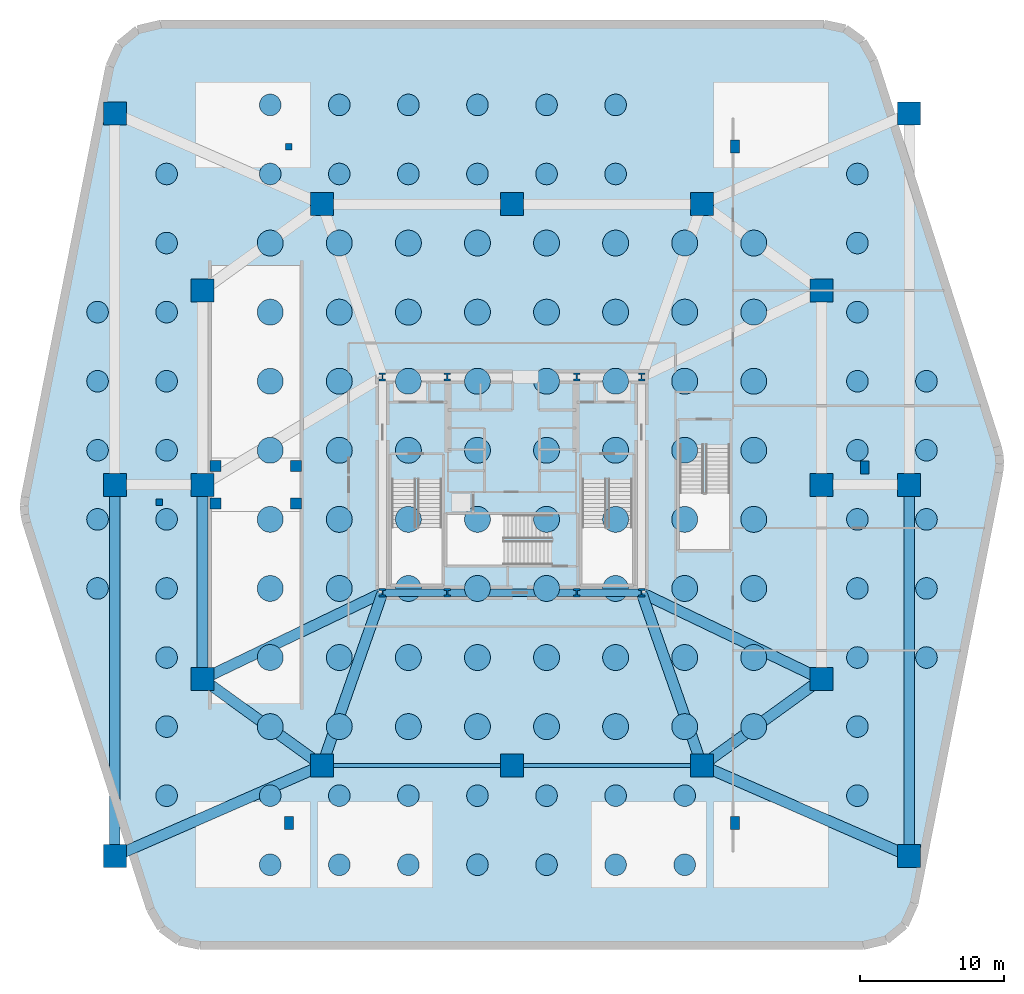
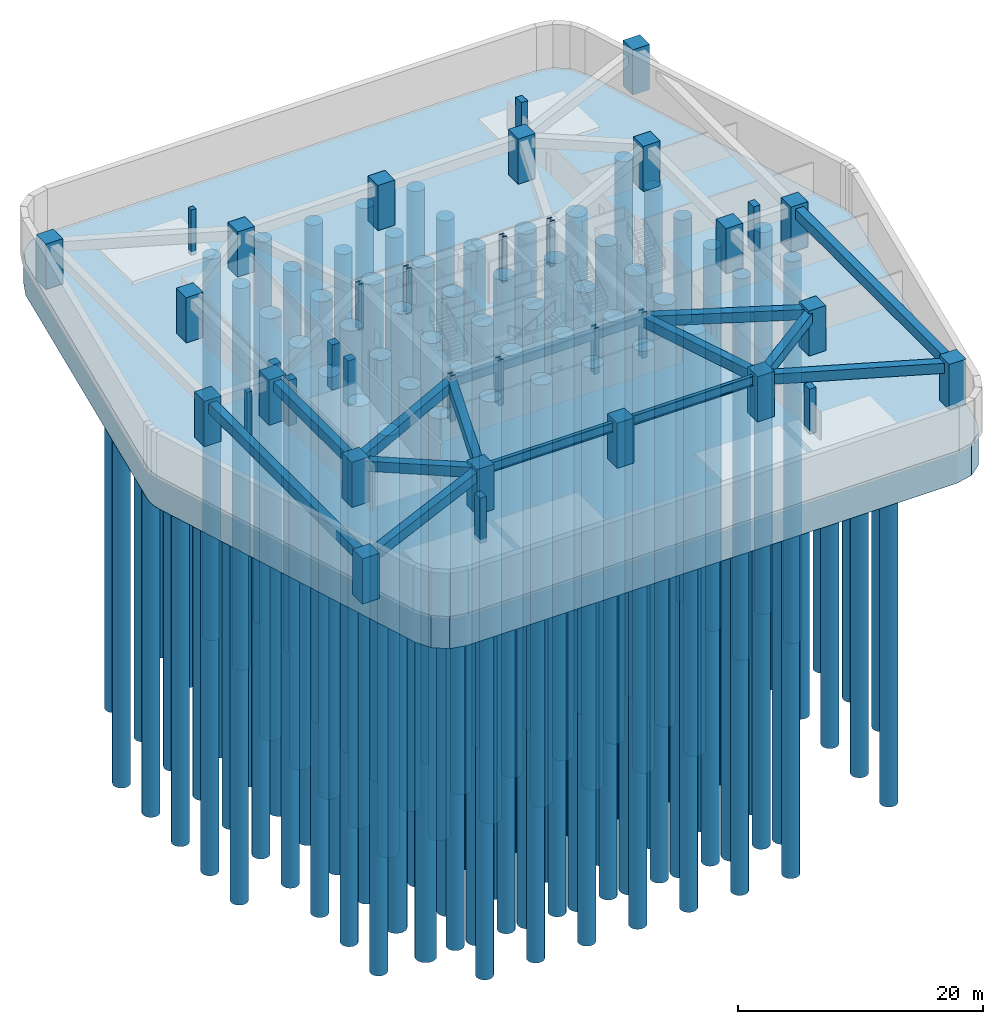
# One storey, part 1 of 8: 120 piles, 36 columns, 16 beams, 1 footing.
"""IFC4 building model written with IfcOpenShell, lengths in metres."""

from ifc_helpers import new_model, si_unit, direction, frame, origin, origin_2d, place, context, subcontext, project, spatial, polyline, rectangle, circle, i_section, outline, extrude, material, layer, layer_set, material_profile, profile_set, type_object, element, save


model = new_model("IFC4")

# Units and contexts
model_context = context("Model", 3, precision=1e-05, world=origin(), true_north=direction((0.0, 1.0)))
body_context = subcontext(model_context, "Body", "Model", "MODEL_VIEW")
ifc_project = project(units=[si_unit("LENGTHUNIT", "METRE"), si_unit("AREAUNIT", "SQUARE_METRE"), si_unit("VOLUMEUNIT", "CUBIC_METRE"), si_unit("PLANEANGLEUNIT", "RADIAN"), si_unit("MASSUNIT", "GRAM", prefix="KILO")], contexts=[model_context])

# Site, building, storey
site_placement = place(None, origin())
site = spatial("IfcSite", under=ifc_project, at=site_placement, CompositionType="ELEMENT")
building_placement = place(site_placement, origin())
building = spatial("IfcBuilding", under=site, at=building_placement, Name="Kilnhurst Terrace Hotel", CompositionType="ELEMENT")
storey_placement = place(building_placement, frame((0.0, 0.0, -9.0)))
storey = spatial("IfcBuildingStorey", under=building, at=storey_placement, Name="B2", CompositionType="ELEMENT", Elevation=-9.0)

# Footing
ifc_material_1 = material(Name="Concrete C50/60", Category="concrete")
ifc_layer = layer(ifc_material_1, 3.199951171875, Name="Concrete C50/60")
ifc_layer_set = layer_set([ifc_layer], Name="Concrete C50/60")
footing_type = type_object("IfcFootingType", Name="FTG-MAT-3200", PredefinedType="PILE_CAP", material=ifc_layer_set)
footing_placement = place(storey_placement, frame((0.0, 0.0, -3.199951171875)))
element("IfcFooting", 1, at=footing_placement, inside=storey, type_object=footing_type, Name="Tower and Podium Piled Mat Foundation MAT-1", PredefinedType="PILE_CAP", context=body_context, shape_type="SweptSolid", body=[
    extrude(outline(polyline([(-25.111572265625, -29.49853515625), (-24.364990234375, -30.801513671875), (-23.152099609375, -31.686767578125), (-21.683349609375, -32.0), (24.408203125, -32.0), (26.003173828125, -31.62744140625), (27.267822265625, -30.5869140625), (27.940673828125, -29.09375), (33.8212890625, 0.850341796875), (33.8876953125, 1.450927734375), (33.8525390625, 2.053955078125), (33.717041015625, 2.642578125), (25.111572265625, 29.49853515625), (24.364990234375, 30.801513671875), (23.152099609375, 31.686767578125), (21.683349609375, 32.0), (-24.408203125, 32.0), (-26.003173828125, 31.62744140625), (-27.267822265625, 30.5869140625), (-27.940673828125, 29.09375), (-33.8212890625, -0.850341796875), (-33.8876953125, -1.450927734375), (-33.8525390625, -2.053955078125), (-33.717041015625, -2.642578125), (-25.111572265625, -29.49853515625)])), origin(), (0.0, 0.0, 1.0), 3.199951171875),
])

# Piles
ifc_material_profile_1 = material_profile(ifc_material_1, circle(Radius=0.75, at=origin_2d()), Name="PILE1500")
ifc_profile_set_1 = profile_set([ifc_material_profile_1], Name="Concrete C50/60")
pile_type_1 = type_object("IfcPileType", Name="PILE-BORED-1500", PredefinedType="BORED", material=ifc_profile_set_1)
for number, where, z_axis, x_axis, name in (
    (2, (-28.800048828125, -7.199951171875, -3.050048828125), (0.0, 0.0, -1.0), (1.0, 0.0, 0.0), "Drilled Shaft PL-1500 001"),
    (3, (-28.800048828125, -2.39990234375, -3.050048828125), (0.0, 0.0, -1.0), (1.0, 0.0, 0.0), "Drilled Shaft PL-1500 002"),
    (4, (-28.800048828125, 2.39990234375, -3.050048828125), (0.0, 0.0, -1.0), (1.0, 0.0, 0.0), "Drilled Shaft PL-1500 003"),
    (5, (-28.800048828125, 7.199951171875, -3.050048828125), (0.0, 0.0, -1.0), (1.0, 0.0, 0.0), "Drilled Shaft PL-1500 004"),
    (6, (-28.800048828125, 12.0, -3.050048828125), (0.0, 0.0, -1.0), (1.0, 0.0, 0.0), "Drilled Shaft PL-1500 005"),
    (7, (-24.0, -21.60009765625, -3.050048828125), (0.0, 0.0, -1.0), (1.0, 0.0, 0.0), "Drilled Shaft PL-1500 006"),
    (8, (-24.0, -16.800048828125, -3.050048828125), (0.0, 0.0, -1.0), (1.0, 0.0, 0.0), "Drilled Shaft PL-1500 007"),
    (9, (-24.0, -12.0, -3.050048828125), (0.0, 0.0, -1.0), (1.0, 0.0, 0.0), "Drilled Shaft PL-1500 008"),
    (10, (-24.0, -7.199951171875, -3.050048828125), (0.0, 0.0, -1.0), (1.0, 0.0, 0.0), "Drilled Shaft PL-1500 009"),
    (11, (-24.0, -2.39990234375, -3.050048828125), (0.0, 0.0, -1.0), (1.0, 0.0, 0.0), "Drilled Shaft PL-1500 010"),
    (12, (-24.0, 2.39990234375, -3.050048828125), (0.0, 0.0, -1.0), (1.0, 0.0, 0.0), "Drilled Shaft PL-1500 011"),
    (13, (-24.0, 7.199951171875, -3.050048828125), (0.0, 0.0, -1.0), (1.0, 0.0, 0.0), "Drilled Shaft PL-1500 012"),
    (14, (-24.0, 12.0, -3.050048828125), (0.0, 0.0, -1.0), (1.0, 0.0, 0.0), "Drilled Shaft PL-1500 013"),
    (15, (-24.0, 16.800048828125, -3.050048828125), (0.0, 0.0, -1.0), (1.0, 0.0, 0.0), "Drilled Shaft PL-1500 014"),
    (16, (-24.0, 21.60009765625, -3.050048828125), (0.0, 0.0, -1.0), (1.0, 0.0, 0.0), "Drilled Shaft PL-1500 015"),
    (17, (24.0, -21.60009765625, -3.050048828125), (0.0, 0.0, -1.0), (1.0, 0.0, 0.0), "Drilled Shaft PL-1500 016"),
    (18, (24.0, -16.800048828125, -3.050048828125), (0.0, 0.0, -1.0), (1.0, 0.0, 0.0), "Drilled Shaft PL-1500 017"),
    (19, (24.0, -12.0, -3.050048828125), (0.0, 0.0, -1.0), (1.0, 0.0, 0.0), "Drilled Shaft PL-1500 018"),
    (20, (24.0, -7.199951171875, -3.050048828125), (0.0, 0.0, -1.0), (1.0, 0.0, 0.0), "Drilled Shaft PL-1500 019"),
    (21, (24.0, -2.39990234375, -3.050048828125), (0.0, 0.0, -1.0), (1.0, 0.0, 0.0), "Drilled Shaft PL-1500 020"),
    (22, (24.0, 2.39990234375, -3.050048828125), (0.0, 0.0, -1.0), (1.0, 0.0, 0.0), "Drilled Shaft PL-1500 021"),
    (23, (24.0, 7.199951171875, -3.050048828125), (0.0, 0.0, -1.0), (1.0, 0.0, 0.0), "Drilled Shaft PL-1500 022"),
    (24, (24.0, 12.0, -3.050048828125), (0.0, 0.0, -1.0), (1.0, 0.0, 0.0), "Drilled Shaft PL-1500 023"),
    (25, (24.0, 16.800048828125, -3.050048828125), (0.0, 0.0, -1.0), (1.0, 0.0, 0.0), "Drilled Shaft PL-1500 024"),
    (26, (24.0, 21.60009765625, -3.050048828125), (0.0, 0.0, -1.0), (1.0, 0.0, 0.0), "Drilled Shaft PL-1500 025"),
    (27, (28.800048828125, -12.0, -3.050048828125), (0.0, 0.0, -1.0), (1.0, 0.0, 0.0), "Drilled Shaft PL-1500 026"),
    (28, (28.800048828125, -7.199951171875, -3.050048828125), (0.0, 0.0, -1.0), (1.0, 0.0, 0.0), "Drilled Shaft PL-1500 027"),
    (29, (28.800048828125, -2.39990234375, -3.050048828125), (0.0, 0.0, -1.0), (1.0, 0.0, 0.0), "Drilled Shaft PL-1500 028"),
    (30, (28.800048828125, 2.39990234375, -3.050048828125), (0.0, 0.0, -1.0), (1.0, 0.0, 0.0), "Drilled Shaft PL-1500 029"),
    (31, (28.800048828125, 7.199951171875, -3.050048828125), (0.0, 0.0, -1.0), (1.0, 0.0, 0.0), "Drilled Shaft PL-1500 030"),
    (32, (-16.800048828125, -26.39990234375, -3.050048828125), (0.0, 0.0, -1.0), (1.0, 0.0, 0.0), "Drilled Shaft PL-1500 031"),
    (33, (-16.800048828125, -21.60009765625, -3.050048828125), (0.0, 0.0, -1.0), (1.0, 0.0, 0.0), "Drilled Shaft PL-1500 032"),
    (34, (-16.800048828125, 21.60009765625, -3.050048828125), (0.0, 0.0, -1.0), (1.0, 0.0, 0.0), "Drilled Shaft PL-1500 033"),
    (35, (-16.800048828125, 26.39990234375, -3.050048828125), (0.0, 0.0, -1.0), (1.0, 0.0, 0.0), "Drilled Shaft PL-1500 034"),
    (36, (-12.0, -26.39990234375, -3.050048828125), (0.0, 0.0, -1.0), (1.0, 0.0, 0.0), "Drilled Shaft PL-1500 035"),
    (37, (-12.0, -21.60009765625, -3.050048828125), (0.0, 0.0, -1.0), (1.0, 0.0, 0.0), "Drilled Shaft PL-1500 036"),
    (38, (-12.0, 21.60009765625, -3.050048828125), (0.0, 0.0, -1.0), (1.0, 0.0, 0.0), "Drilled Shaft PL-1500 037"),
    (39, (-12.0, 26.39990234375, -3.050048828125), (0.0, 0.0, -1.0), (1.0, 0.0, 0.0), "Drilled Shaft PL-1500 038"),
    (40, (-7.199951171875, -26.39990234375, -3.050048828125), (0.0, 0.0, -1.0), (1.0, 0.0, 0.0), "Drilled Shaft PL-1500 039"),
    (41, (-7.199951171875, -21.60009765625, -3.050048828125), (0.0, 0.0, -1.0), (1.0, 0.0, 0.0), "Drilled Shaft PL-1500 040"),
    (42, (-7.199951171875, 21.60009765625, -3.050048828125), (0.0, 0.0, -1.0), (1.0, 0.0, 0.0), "Drilled Shaft PL-1500 041"),
    (43, (-7.199951171875, 26.39990234375, -3.050048828125), (0.0, 0.0, -1.0), (1.0, 0.0, 0.0), "Drilled Shaft PL-1500 042"),
    (44, (-2.39990234375, -26.39990234375, -3.050048828125), (0.0, 0.0, -1.0), (1.0, 0.0, 0.0), "Drilled Shaft PL-1500 043"),
    (45, (-2.39990234375, -21.60009765625, -3.050048828125), (0.0, 0.0, -1.0), (1.0, 0.0, 0.0), "Drilled Shaft PL-1500 044"),
    (46, (-2.39990234375, 21.60009765625, -3.050048828125), (0.0, 0.0, -1.0), (1.0, 0.0, 0.0), "Drilled Shaft PL-1500 045"),
    (47, (-2.39990234375, 26.39990234375, -3.050048828125), (0.0, 0.0, -1.0), (1.0, 0.0, 0.0), "Drilled Shaft PL-1500 046"),
    (48, (2.39990234375, -26.39990234375, -3.050048828125), (0.0, 0.0, -1.0), (1.0, 0.0, 0.0), "Drilled Shaft PL-1500 047"),
    (49, (2.39990234375, -21.60009765625, -3.050048828125), (0.0, 0.0, -1.0), (1.0, 0.0, 0.0), "Drilled Shaft PL-1500 048"),
    (50, (2.39990234375, 21.60009765625, -3.050048828125), (0.0, 0.0, -1.0), (1.0, 0.0, 0.0), "Drilled Shaft PL-1500 049"),
    (51, (2.39990234375, 26.39990234375, -3.050048828125), (0.0, 0.0, -1.0), (1.0, 0.0, 0.0), "Drilled Shaft PL-1500 050"),
    (52, (7.199951171875, -26.39990234375, -3.050048828125), (0.0, 0.0, -1.0), (1.0, 0.0, 0.0), "Drilled Shaft PL-1500 051"),
    (53, (7.199951171875, -21.60009765625, -3.050048828125), (0.0, 0.0, -1.0), (1.0, 0.0, 0.0), "Drilled Shaft PL-1500 052"),
    (54, (7.199951171875, 21.60009765625, -3.050048828125), (0.0, 0.0, -1.0), (1.0, 0.0, 0.0), "Drilled Shaft PL-1500 053"),
    (55, (7.199951171875, 26.39990234375, -3.050048828125), (0.0, 0.0, -1.0), (1.0, 0.0, 0.0), "Drilled Shaft PL-1500 054"),
    (56, (12.0, -26.39990234375, -3.050048828125), (0.0, 0.0, -1.0), (1.0, 0.0, 0.0), "Drilled Shaft PL-1500 055"),
    (57, (12.0, -21.60009765625, -3.050048828125), (0.0, 0.0, -1.0), (1.0, 0.0, 0.0), "Drilled Shaft PL-1500 056"),
):
    element("IfcPile", number, at=place(storey_placement, frame(where, z_axis=z_axis, x_axis=x_axis)), inside=storey, type_object=pile_type_1, Name=name, PredefinedType="BORED", context=body_context, shape_type="SweptSolid", body=[
        extrude(circle(Radius=0.75, at=origin_2d()), origin(), (0.0, 0.0, 1.0), 38.0),
    ])
ifc_material_profile_2 = material_profile(ifc_material_1, circle(Radius=0.89990234375, at=origin_2d()), Name="PILE1800")
ifc_profile_set_2 = profile_set([ifc_material_profile_2], Name="Concrete C50/60")
pile_type_2 = type_object("IfcPileType", Name="PILE-BORED-1800", PredefinedType="BORED", material=ifc_profile_set_2)
for number, where, z_axis, x_axis, name in (
    (58, (-16.800048828125, -16.800048828125, -3.050048828125), (0.0, 0.0, -1.0), (1.0, 0.0, 0.0), "Drilled Shaft PL-1800 001"),
    (59, (-16.800048828125, -12.0, -3.050048828125), (0.0, 0.0, -1.0), (1.0, 0.0, 0.0), "Drilled Shaft PL-1800 002"),
    (60, (-16.800048828125, -7.199951171875, -3.050048828125), (0.0, 0.0, -1.0), (1.0, 0.0, 0.0), "Drilled Shaft PL-1800 003"),
    (61, (-16.800048828125, -2.39990234375, -3.050048828125), (0.0, 0.0, -1.0), (1.0, 0.0, 0.0), "Drilled Shaft PL-1800 004"),
    (62, (-16.800048828125, 2.39990234375, -3.050048828125), (0.0, 0.0, -1.0), (1.0, 0.0, 0.0), "Drilled Shaft PL-1800 005"),
    (63, (-16.800048828125, 7.199951171875, -3.050048828125), (0.0, 0.0, -1.0), (1.0, 0.0, 0.0), "Drilled Shaft PL-1800 006"),
    (64, (-16.800048828125, 12.0, -3.050048828125), (0.0, 0.0, -1.0), (1.0, 0.0, 0.0), "Drilled Shaft PL-1800 007"),
    (65, (-16.800048828125, 16.800048828125, -3.050048828125), (0.0, 0.0, -1.0), (1.0, 0.0, 0.0), "Drilled Shaft PL-1800 008"),
    (66, (-12.0, -16.800048828125, -3.050048828125), (0.0, 0.0, -1.0), (1.0, 0.0, 0.0), "Drilled Shaft PL-1800 009"),
    (67, (-12.0, -12.0, -3.050048828125), (0.0, 0.0, -1.0), (1.0, 0.0, 0.0), "Drilled Shaft PL-1800 010"),
    (68, (-12.0, -7.199951171875, -3.050048828125), (0.0, 0.0, -1.0), (1.0, 0.0, 0.0), "Drilled Shaft PL-1800 011"),
    (69, (-12.0, -2.39990234375, -3.050048828125), (0.0, 0.0, -1.0), (1.0, 0.0, 0.0), "Drilled Shaft PL-1800 012"),
    (70, (-12.0, 2.39990234375, -3.050048828125), (0.0, 0.0, -1.0), (1.0, 0.0, 0.0), "Drilled Shaft PL-1800 013"),
    (71, (-12.0, 7.199951171875, -3.050048828125), (0.0, 0.0, -1.0), (1.0, 0.0, 0.0), "Drilled Shaft PL-1800 014"),
    (72, (-12.0, 12.0, -3.050048828125), (0.0, 0.0, -1.0), (1.0, 0.0, 0.0), "Drilled Shaft PL-1800 015"),
    (73, (-12.0, 16.800048828125, -3.050048828125), (0.0, 0.0, -1.0), (1.0, 0.0, 0.0), "Drilled Shaft PL-1800 016"),
    (74, (-7.199951171875, -16.800048828125, -3.050048828125), (0.0, 0.0, -1.0), (1.0, 0.0, 0.0), "Drilled Shaft PL-1800 017"),
    (75, (-7.199951171875, -12.0, -3.050048828125), (0.0, 0.0, -1.0), (1.0, 0.0, 0.0), "Drilled Shaft PL-1800 018"),
    (76, (-7.199951171875, -7.199951171875, -3.050048828125), (0.0, 0.0, -1.0), (1.0, 0.0, 0.0), "Drilled Shaft PL-1800 019"),
    (77, (-7.199951171875, -2.39990234375, -3.050048828125), (0.0, 0.0, -1.0), (1.0, 0.0, 0.0), "Drilled Shaft PL-1800 020"),
    (78, (-7.199951171875, 2.39990234375, -3.050048828125), (0.0, 0.0, -1.0), (1.0, 0.0, 0.0), "Drilled Shaft PL-1800 021"),
    (79, (-7.199951171875, 7.199951171875, -3.050048828125), (0.0, 0.0, -1.0), (1.0, 0.0, 0.0), "Drilled Shaft PL-1800 022"),
    (80, (-7.199951171875, 12.0, -3.050048828125), (0.0, 0.0, -1.0), (1.0, 0.0, 0.0), "Drilled Shaft PL-1800 023"),
    (81, (-7.199951171875, 16.800048828125, -3.050048828125), (0.0, 0.0, -1.0), (1.0, 0.0, 0.0), "Drilled Shaft PL-1800 024"),
    (82, (-2.39990234375, -16.800048828125, -3.050048828125), (0.0, 0.0, -1.0), (1.0, 0.0, 0.0), "Drilled Shaft PL-1800 025"),
    (83, (-2.39990234375, -12.0, -3.050048828125), (0.0, 0.0, -1.0), (1.0, 0.0, 0.0), "Drilled Shaft PL-1800 026"),
    (84, (-2.39990234375, -7.199951171875, -3.050048828125), (0.0, 0.0, -1.0), (1.0, 0.0, 0.0), "Drilled Shaft PL-1800 027"),
    (85, (-2.39990234375, -2.39990234375, -3.050048828125), (0.0, 0.0, -1.0), (1.0, 0.0, 0.0), "Drilled Shaft PL-1800 028"),
    (86, (-2.39990234375, 2.39990234375, -3.050048828125), (0.0, 0.0, -1.0), (1.0, 0.0, 0.0), "Drilled Shaft PL-1800 029"),
    (87, (-2.39990234375, 7.199951171875, -3.050048828125), (0.0, 0.0, -1.0), (1.0, 0.0, 0.0), "Drilled Shaft PL-1800 030"),
    (88, (-2.39990234375, 12.0, -3.050048828125), (0.0, 0.0, -1.0), (1.0, 0.0, 0.0), "Drilled Shaft PL-1800 031"),
    (89, (-2.39990234375, 16.800048828125, -3.050048828125), (0.0, 0.0, -1.0), (1.0, 0.0, 0.0), "Drilled Shaft PL-1800 032"),
    (90, (2.39990234375, -16.800048828125, -3.050048828125), (0.0, 0.0, -1.0), (1.0, 0.0, 0.0), "Drilled Shaft PL-1800 033"),
    (91, (2.39990234375, -12.0, -3.050048828125), (0.0, 0.0, -1.0), (1.0, 0.0, 0.0), "Drilled Shaft PL-1800 034"),
    (92, (2.39990234375, -7.199951171875, -3.050048828125), (0.0, 0.0, -1.0), (1.0, 0.0, 0.0), "Drilled Shaft PL-1800 035"),
    (93, (2.39990234375, -2.39990234375, -3.050048828125), (0.0, 0.0, -1.0), (1.0, 0.0, 0.0), "Drilled Shaft PL-1800 036"),
    (94, (2.39990234375, 2.39990234375, -3.050048828125), (0.0, 0.0, -1.0), (1.0, 0.0, 0.0), "Drilled Shaft PL-1800 037"),
    (95, (2.39990234375, 7.199951171875, -3.050048828125), (0.0, 0.0, -1.0), (1.0, 0.0, 0.0), "Drilled Shaft PL-1800 038"),
    (96, (2.39990234375, 12.0, -3.050048828125), (0.0, 0.0, -1.0), (1.0, 0.0, 0.0), "Drilled Shaft PL-1800 039"),
    (97, (2.39990234375, 16.800048828125, -3.050048828125), (0.0, 0.0, -1.0), (1.0, 0.0, 0.0), "Drilled Shaft PL-1800 040"),
    (98, (7.199951171875, -16.800048828125, -3.050048828125), (0.0, 0.0, -1.0), (1.0, 0.0, 0.0), "Drilled Shaft PL-1800 041"),
    (99, (7.199951171875, -12.0, -3.050048828125), (0.0, 0.0, -1.0), (1.0, 0.0, 0.0), "Drilled Shaft PL-1800 042"),
    (100, (7.199951171875, -7.199951171875, -3.050048828125), (0.0, 0.0, -1.0), (1.0, 0.0, 0.0), "Drilled Shaft PL-1800 043"),
    (101, (7.199951171875, -2.39990234375, -3.050048828125), (0.0, 0.0, -1.0), (1.0, 0.0, 0.0), "Drilled Shaft PL-1800 044"),
    (102, (7.199951171875, 2.39990234375, -3.050048828125), (0.0, 0.0, -1.0), (1.0, 0.0, 0.0), "Drilled Shaft PL-1800 045"),
    (103, (7.199951171875, 7.199951171875, -3.050048828125), (0.0, 0.0, -1.0), (1.0, 0.0, 0.0), "Drilled Shaft PL-1800 046"),
    (104, (7.199951171875, 12.0, -3.050048828125), (0.0, 0.0, -1.0), (1.0, 0.0, 0.0), "Drilled Shaft PL-1800 047"),
    (105, (7.199951171875, 16.800048828125, -3.050048828125), (0.0, 0.0, -1.0), (1.0, 0.0, 0.0), "Drilled Shaft PL-1800 048"),
    (106, (12.0, -16.800048828125, -3.050048828125), (0.0, 0.0, -1.0), (1.0, 0.0, 0.0), "Drilled Shaft PL-1800 049"),
    (107, (12.0, -12.0, -3.050048828125), (0.0, 0.0, -1.0), (1.0, 0.0, 0.0), "Drilled Shaft PL-1800 050"),
    (108, (12.0, -7.199951171875, -3.050048828125), (0.0, 0.0, -1.0), (1.0, 0.0, 0.0), "Drilled Shaft PL-1800 051"),
    (109, (12.0, -2.39990234375, -3.050048828125), (0.0, 0.0, -1.0), (1.0, 0.0, 0.0), "Drilled Shaft PL-1800 052"),
    (110, (12.0, 2.39990234375, -3.050048828125), (0.0, 0.0, -1.0), (1.0, 0.0, 0.0), "Drilled Shaft PL-1800 053"),
    (111, (12.0, 7.199951171875, -3.050048828125), (0.0, 0.0, -1.0), (1.0, 0.0, 0.0), "Drilled Shaft PL-1800 054"),
    (112, (12.0, 12.0, -3.050048828125), (0.0, 0.0, -1.0), (1.0, 0.0, 0.0), "Drilled Shaft PL-1800 055"),
    (113, (12.0, 16.800048828125, -3.050048828125), (0.0, 0.0, -1.0), (1.0, 0.0, 0.0), "Drilled Shaft PL-1800 056"),
    (114, (16.800048828125, -16.800048828125, -3.050048828125), (0.0, 0.0, -1.0), (1.0, 0.0, 0.0), "Drilled Shaft PL-1800 057"),
    (115, (16.800048828125, -12.0, -3.050048828125), (0.0, 0.0, -1.0), (1.0, 0.0, 0.0), "Drilled Shaft PL-1800 058"),
    (116, (16.800048828125, -7.199951171875, -3.050048828125), (0.0, 0.0, -1.0), (1.0, 0.0, 0.0), "Drilled Shaft PL-1800 059"),
    (117, (16.800048828125, -2.39990234375, -3.050048828125), (0.0, 0.0, -1.0), (1.0, 0.0, 0.0), "Drilled Shaft PL-1800 060"),
    (118, (16.800048828125, 2.39990234375, -3.050048828125), (0.0, 0.0, -1.0), (1.0, 0.0, 0.0), "Drilled Shaft PL-1800 061"),
    (119, (16.800048828125, 7.199951171875, -3.050048828125), (0.0, 0.0, -1.0), (1.0, 0.0, 0.0), "Drilled Shaft PL-1800 062"),
    (120, (16.800048828125, 12.0, -3.050048828125), (0.0, 0.0, -1.0), (1.0, 0.0, 0.0), "Drilled Shaft PL-1800 063"),
    (121, (16.800048828125, 16.800048828125, -3.050048828125), (0.0, 0.0, -1.0), (1.0, 0.0, 0.0), "Drilled Shaft PL-1800 064"),
):
    element("IfcPile", number, at=place(storey_placement, frame(where, z_axis=z_axis, x_axis=x_axis)), inside=storey, type_object=pile_type_2, Name=name, PredefinedType="BORED", context=body_context, shape_type="SweptSolid", body=[
        extrude(circle(Radius=0.89990234375, at=origin_2d()), origin(), (0.0, 0.0, 1.0), 42.0),
    ])

# Columns
ifc_material_2 = material(Name="Concrete C80/95", Category="concrete")
ifc_material_profile_3 = material_profile(ifc_material_2, rectangle(XDim=1.60009765625, YDim=1.60009765625, at=origin_2d()), Name="RC1600X1600")
ifc_profile_set_3 = profile_set([ifc_material_profile_3], Name="Concrete C80/95")
column_type_1 = type_object("IfcColumnType", Name="COL-RC-1600", PredefinedType="COLUMN", material=ifc_profile_set_3)
for number, where, z_axis, x_axis, name in (
    (122, (-21.5, -13.5, 0.0), (0.0, 0.0, 1.0), (1.0, 0.0, 0.0), "B2 Structural Column MC-W1"),
    (123, (-21.5, 0.0, 0.0), (0.0, 0.0, 1.0), (1.0, 0.0, 0.0), "B2 Structural Column MC-W2"),
    (124, (-21.5, 13.5, 0.0), (0.0, 0.0, 1.0), (1.0, 0.0, 0.0), "B2 Structural Column MC-W3"),
    (125, (21.5, -13.5, 0.0), (0.0, 0.0, 1.0), (1.0, 0.0, 0.0), "B2 Structural Column MC-E1"),
    (126, (21.5, 0.0, 0.0), (0.0, 0.0, 1.0), (1.0, 0.0, 0.0), "B2 Structural Column MC-E2"),
    (127, (21.5, 13.5, 0.0), (0.0, 0.0, 1.0), (1.0, 0.0, 0.0), "B2 Structural Column MC-E3"),
    (128, (-13.199951171875, -19.5, 0.0), (0.0, 0.0, 1.0), (1.0, 0.0, 0.0), "B2 Structural Column MC-S1"),
    (129, (13.199951171875, -19.5, 0.0), (0.0, 0.0, 1.0), (1.0, 0.0, 0.0), "B2 Structural Column MC-S2"),
    (130, (-13.199951171875, 19.5, 0.0), (0.0, 0.0, 1.0), (1.0, 0.0, 0.0), "B2 Structural Column MC-N1"),
    (131, (0.0, 19.5, 0.0), (0.0, 0.0, 1.0), (1.0, 0.0, 0.0), "B2 Structural Column MC-N2"),
    (132, (13.199951171875, 19.5, 0.0), (0.0, 0.0, 1.0), (1.0, 0.0, 0.0), "B2 Structural Column MC-N3"),
    (133, (-27.60009765625, -25.800048828125, 0.0), (0.0, 0.0, 1.0), (1.0, 0.0, 0.0), "B2 Structural Column BC-SW"),
    (134, (27.60009765625, -25.800048828125, 0.0), (0.0, 0.0, 1.0), (1.0, 0.0, 0.0), "B2 Structural Column BC-SE"),
    (135, (27.60009765625, 25.800048828125, 0.0), (0.0, 0.0, 1.0), (1.0, 0.0, 0.0), "B2 Structural Column BC-NE"),
    (136, (-27.60009765625, 25.800048828125, 0.0), (0.0, 0.0, 1.0), (1.0, 0.0, 0.0), "B2 Structural Column BC-NW"),
    (137, (-27.60009765625, 0.0, 0.0), (0.0, 0.0, 1.0), (1.0, 0.0, 0.0), "B2 Structural Column BC-W"),
    (138, (27.60009765625, 0.0, 0.0), (0.0, 0.0, 1.0), (1.0, 0.0, 0.0), "B2 Structural Column BC-E"),
    (139, (0.0, -19.5, 0.0), (0.0, 0.0, 1.0), (1.0, 0.0, 0.0), "B2 Structural Column MC-SB0"),
):
    element("IfcColumn", number, at=place(storey_placement, frame(where, z_axis=z_axis, x_axis=x_axis)), inside=storey, type_object=column_type_1, Name=name, PredefinedType="COLUMN", context=body_context, shape_type="SweptSolid", body=[
        extrude(rectangle(XDim=1.60009765625, YDim=1.60009765625, at=origin_2d()), origin(), (0.0, 0.0, 1.0), 4.5),
    ])
ifc_material_3 = material(Name="Concrete C60/75", Category="concrete")
ifc_material_profile_4 = material_profile(ifc_material_3, rectangle(XDim=0.75, YDim=0.75, at=origin_2d()), Name="RC750X750")
ifc_profile_set_4 = profile_set([ifc_material_profile_4], Name="Concrete C60/75")
column_type_2 = type_object("IfcColumnType", Name="COL-RC-750", PredefinedType="COLUMN", material=ifc_profile_set_4)
for number, where, z_axis, x_axis, name in (
    (140, (-20.60009765625, -1.300048828125, 0.0), (0.0, 0.0, 1.0), (1.0, 0.0, 0.0), "B2 Ramp Landing Support Column 1"),
    (141, (-15.0, -1.300048828125, 0.0), (0.0, 0.0, 1.0), (1.0, 0.0, 0.0), "B2 Ramp Landing Support Column 2"),
    (142, (-20.60009765625, 1.300048828125, 0.0), (0.0, 0.0, 1.0), (1.0, 0.0, 0.0), "B2 Ramp Landing Support Column 3"),
    (143, (-15.0, 1.300048828125, 0.0), (0.0, 0.0, 1.0), (1.0, 0.0, 0.0), "B2 Ramp Landing Support Column 4"),
):
    element("IfcColumn", number, at=place(storey_placement, frame(where, z_axis=z_axis, x_axis=x_axis)), inside=storey, type_object=column_type_2, Name=name, PredefinedType="COLUMN", context=body_context, shape_type="SweptSolid", body=[
        extrude(rectangle(XDim=0.75, YDim=0.75, at=origin_2d()), origin(), (0.0, 0.0, 1.0), 4.5),
    ])
ifc_material_4 = material(Name="Steel ASTM A992 Grade 50", Category="steel")
ifc_material_profile_5 = material_profile(ifc_material_4, i_section(OverallWidth=0.454345703125, OverallDepth=0.569091796875, WebThickness=0.077880859375, FlangeThickness=0.124755859375, at=origin_2d()), Name="W14X730")
ifc_profile_set_5 = profile_set([ifc_material_profile_5], Name="Steel ASTM A992 Grade 50")
column_type_3 = type_object("IfcColumnType", Name="COL-STL-W14X730", PredefinedType="COLUMN", material=ifc_profile_set_5)
for number, where, z_axis, x_axis, name in (
    (144, (-9.0, -7.5, 0.0), (0.0, 0.0, 1.0), (1.0, 0.0, 0.0), "B2 Structural Column CC-SW"),
    (145, (-4.5, -7.5, 0.0), (0.0, 0.0, 1.0), (1.0, 0.0, 0.0), "B2 Structural Column CC-SC1"),
    (146, (4.5, -7.5, 0.0), (0.0, 0.0, 1.0), (1.0, 0.0, 0.0), "B2 Structural Column CC-SC2"),
    (147, (9.0, -7.5, 0.0), (0.0, 0.0, 1.0), (1.0, 0.0, 0.0), "B2 Structural Column CC-SE"),
    (148, (9.0, 7.5, 0.0), (0.0, 0.0, 1.0), (1.0, 0.0, 0.0), "B2 Structural Column CC-NE"),
    (149, (4.5, 7.5, 0.0), (0.0, 0.0, 1.0), (1.0, 0.0, 0.0), "B2 Structural Column CC-NC2"),
    (150, (-4.5, 7.5, 0.0), (0.0, 0.0, 1.0), (1.0, 0.0, 0.0), "B2 Structural Column CC-NC1"),
    (151, (-9.0, 7.5, 0.0), (0.0, 0.0, 1.0), (1.0, 0.0, 0.0), "B2 Structural Column CC-NW"),
):
    element("IfcColumn", number, at=place(storey_placement, frame(where, z_axis=z_axis, x_axis=x_axis)), inside=storey, type_object=column_type_3, Name=name, PredefinedType="COLUMN", context=body_context, shape_type="SweptSolid", body=[
        extrude(i_section(OverallWidth=0.454345703125, OverallDepth=0.569091796875, WebThickness=0.077880859375, FlangeThickness=0.124755859375, at=origin_2d()), origin(), (0.0, 0.0, 1.0), 4.5),
    ])
ifc_material_profile_6 = material_profile(ifc_material_1, rectangle(XDim=0.449951171875, YDim=0.449951171875, at=origin_2d()), Name="RC450X450")
ifc_profile_set_6 = profile_set([ifc_material_profile_6], Name="Concrete C50/60")
column_type_4 = type_object("IfcColumnType", Name="PIL-RC-450X450", PredefinedType="PILASTER", material=ifc_profile_set_6)
for number, where, z_axis, x_axis, name in (
    (152, (-15.5, 23.5, 0.0), (0.0, 0.0, 1.0), (1.0, 0.0, 0.0), "B2 Continuous Structural Pilaster PIL5"),
    (153, (-24.5, -1.199951171875, 0.0), (0.0, 0.0, 1.0), (1.0, 0.0, 0.0), "B2 Continuous Structural Pilaster PIL6"),
):
    element("IfcColumn", number, at=place(storey_placement, frame(where, z_axis=z_axis, x_axis=x_axis)), inside=storey, type_object=column_type_4, Name=name, PredefinedType="PILASTER", context=body_context, shape_type="SweptSolid", body=[
        extrude(rectangle(XDim=0.449951171875, YDim=0.449951171875, at=origin_2d()), origin(), (0.0, 0.0, 1.0), 4.5),
    ])
ifc_material_profile_7 = material_profile(ifc_material_3, rectangle(XDim=0.60009765625, YDim=0.89990234375, at=origin_2d()), Name="RC600X900")
ifc_profile_set_7 = profile_set([ifc_material_profile_7], Name="Concrete C60/75")
column_type_5 = type_object("IfcColumnType", Name="PIL-RC-600X900", PredefinedType="PILASTER", material=ifc_profile_set_7)
for number, where, z_axis, x_axis, name in (
    (154, (-15.5, -23.5, 0.0), (0.0, 0.0, 1.0), (1.0, 0.0, 0.0), "B2 Continuous Structural Pilaster PIL1"),
    (155, (15.5, -23.5, 0.0), (0.0, 0.0, 1.0), (1.0, 0.0, 0.0), "B2 Continuous Structural Pilaster PIL2"),
    (156, (24.5, 1.199951171875, 0.0), (0.0, 0.0, 1.0), (1.0, 0.0, 0.0), "B2 Continuous Structural Pilaster PIL3"),
    (157, (15.5, 23.5, 0.0), (0.0, 0.0, 1.0), (1.0, 0.0, 0.0), "B2 Continuous Structural Pilaster PIL4"),
):
    element("IfcColumn", number, at=place(storey_placement, frame(where, z_axis=z_axis, x_axis=x_axis)), inside=storey, type_object=column_type_5, Name=name, PredefinedType="PILASTER", context=body_context, shape_type="SweptSolid", body=[
        extrude(rectangle(XDim=0.60009765625, YDim=0.89990234375, at=origin_2d()), origin(), (0.0, 0.0, 1.0), 4.5),
    ])

# Beams
ifc_material_profile_8 = material_profile(ifc_material_1, rectangle(XDim=0.550048828125, YDim=0.75, at=origin_2d()), Name="RC550X750")
ifc_profile_set_8 = profile_set([ifc_material_profile_8], Name="Concrete C50/60")
beam_type_1 = type_object("IfcBeamType", Name="BM-SPN-550X750", PredefinedType="SPANDREL", material=ifc_profile_set_8)
beam_1_placement = place(storey_placement, frame((-9.0, -7.5, 3.804931640625), z_axis=(1.0, 0.0, 0.0), x_axis=(0.0, 1.0, 0.0)))
element("IfcBeam", 158, at=beam_1_placement, inside=storey, type_object=beam_type_1, Name="B2 Core Tie Beam CC-SW to CC-SC1", PredefinedType="SPANDREL", context=body_context, shape_type="SweptSolid", body=[
    extrude(rectangle(XDim=0.550048828125, YDim=0.75, at=origin_2d()), origin(), (0.0, 0.0, 1.0), 4.5),
])
beam_2_placement = place(storey_placement, frame((-4.5, -7.5, 3.804931640625), z_axis=(1.0, 0.0, 0.0), x_axis=(0.0, 1.0, 0.0)))
element("IfcBeam", 159, at=beam_2_placement, inside=storey, type_object=beam_type_1, Name="B2 Core Tie Beam CC-SC1 to CC-SC2", PredefinedType="SPANDREL", context=body_context, shape_type="SweptSolid", body=[
    extrude(rectangle(XDim=0.550048828125, YDim=0.75, at=origin_2d()), origin(), (0.0, 0.0, 1.0), 9.0),
])
beam_3_placement = place(storey_placement, frame((4.5, -7.5, 3.804931640625), z_axis=(1.0, 0.0, 0.0), x_axis=(0.0, 1.0, 0.0)))
element("IfcBeam", 160, at=beam_3_placement, inside=storey, type_object=beam_type_1, Name="B2 Core Tie Beam CC-SC2 to CC-SE", PredefinedType="SPANDREL", context=body_context, shape_type="SweptSolid", body=[
    extrude(rectangle(XDim=0.550048828125, YDim=0.75, at=origin_2d()), origin(), (0.0, 0.0, 1.0), 4.5),
])
ifc_material_profile_9 = material_profile(ifc_material_4, i_section(OverallWidth=0.307861328125, OverallDepth=0.94287109375, WebThickness=0.022216796875, FlangeThickness=0.039794921875, at=origin_2d()), Name="W36X232")
ifc_profile_set_9 = profile_set([ifc_material_profile_9], Name="Steel ASTM A992 Grade 50")
beam_type_2 = type_object("IfcBeamType", Name="BM-STL-W36X232", PredefinedType="BEAM", material=ifc_profile_set_9)
for number, where, z_axis, x_axis, name in (
    (161, (-13.199951171875, -19.5, 3.7099609375), (1.0, 0.0, 0.0), (0.0, 1.0, 0.0), "B2 Sub-Ballroom Girder 1"),
    (162, (0.0, -19.5, 3.7099609375), (1.0, 0.0, 0.0), (0.0, 1.0, 0.0), "B2 Sub-Ballroom Girder 2"),
):
    element("IfcBeam", number, at=place(storey_placement, frame(where, z_axis=z_axis, x_axis=x_axis)), inside=storey, type_object=beam_type_2, Name=name, PredefinedType="BEAM", context=body_context, shape_type="SweptSolid", body=[
        extrude(i_section(OverallWidth=0.307861328125, OverallDepth=0.94287109375, WebThickness=0.022216796875, FlangeThickness=0.039794921875, at=origin_2d()), origin(), (0.0, 0.0, 1.0), 13.199951171875),
    ])
ifc_material_profile_10 = material_profile(ifc_material_1, rectangle(XDim=0.75, YDim=1.0, at=origin_2d()), Name="RC750X1000")
ifc_profile_set_10 = profile_set([ifc_material_profile_10], Name="Concrete C50/60")
beam_type_3 = type_object("IfcBeamType", Name="TBM-GAR-750X1000", PredefinedType="T_BEAM", material=ifc_profile_set_10)
beam_4_placement = place(storey_placement, frame((-21.5, -13.5, 3.679931640625), z_axis=(0.0, 1.0, 0.0), x_axis=(-1.0, 0.0, 0.0)))
element("IfcBeam", 163, at=beam_4_placement, inside=storey, type_object=beam_type_3, Name="B2 Podium Frame Beam 1", PredefinedType="T_BEAM", context=body_context, shape_type="SweptSolid", body=[
    extrude(rectangle(XDim=0.75, YDim=1.0, at=origin_2d()), origin(), (0.0, 0.0, 1.0), 13.5),
])
for number, where, z_axis, x_axis, name in (
    (164, (-21.5, -13.5, 3.679931640625), (0.901523057468, 0.432731067585, 0.0), (-0.432731067585, 0.901523057468, 0.0), "B2 Podium Frame Beam 10"),
    (165, (21.5, -13.5, 3.679931640625), (-0.901523057468, 0.432731067585, 0.0), (-0.432731067585, -0.901523057468, 0.0), "B2 Podium Frame Beam 12"),
):
    element("IfcBeam", number, at=place(storey_placement, frame(where, z_axis=z_axis, x_axis=x_axis)), inside=storey, type_object=beam_type_3, Name=name, PredefinedType="T_BEAM", context=body_context, shape_type="SweptSolid", body=[
        extrude(rectangle(XDim=0.75, YDim=1.0, at=origin_2d()), origin(), (0.0, 0.0, 1.0), 13.865478515625),
    ])
for number, where, z_axis, x_axis, name in (
    (166, (-13.199951171875, -19.5, 3.679931640625), (0.330347003279, 0.943859553866, 0.0), (-0.943859553866, 0.330347003279, 0.0), "B2 Podium Frame Beam 15"),
    (167, (13.199951171875, -19.5, 3.679931640625), (-0.330347003279, 0.943859553866, 0.0), (-0.943859553866, -0.330347003279, 0.0), "B2 Podium Frame Beam 16"),
):
    element("IfcBeam", number, at=place(storey_placement, frame(where, z_axis=z_axis, x_axis=x_axis)), inside=storey, type_object=beam_type_3, Name=name, PredefinedType="T_BEAM", context=body_context, shape_type="SweptSolid", body=[
        extrude(rectangle(XDim=0.75, YDim=1.0, at=origin_2d()), origin(), (0.0, 0.0, 1.0), 12.7138671875),
    ])
for number, where, z_axis, x_axis, name in (
    (168, (-21.5, -13.5, 3.679931640625), (0.810423314702, -0.585844732833, 0.0), (0.585844732833, 0.810423314702, 0.0), "B2 Podium Frame Beam 17"),
    (169, (21.5, -13.5, 3.679931640625), (-0.810423314702, -0.585844732833, 0.0), (0.585844732833, -0.810423314702, 0.0), "B2 Podium Frame Beam 18"),
):
    element("IfcBeam", number, at=place(storey_placement, frame(where, z_axis=z_axis, x_axis=x_axis)), inside=storey, type_object=beam_type_3, Name=name, PredefinedType="T_BEAM", context=body_context, shape_type="SweptSolid", body=[
        extrude(rectangle(XDim=0.75, YDim=1.0, at=origin_2d()), origin(), (0.0, 0.0, 1.0), 10.24169921875),
    ])
for number, where, z_axis, x_axis, name in (
    (170, (-27.60009765625, -25.800048828125, 3.679931640625), (0.0, 1.0, 0.0), (-1.0, 0.0, 0.0), "B2 Outer Ring Tee Beam 1"),
    (171, (27.60009765625, -25.800048828125, 3.679931640625), (0.0, 1.0, 0.0), (-1.0, 0.0, 0.0), "B2 Outer Ring Tee Beam 4"),
):
    element("IfcBeam", number, at=place(storey_placement, frame(where, z_axis=z_axis, x_axis=x_axis)), inside=storey, type_object=beam_type_3, Name=name, PredefinedType="T_BEAM", context=body_context, shape_type="SweptSolid", body=[
        extrude(rectangle(XDim=0.75, YDim=1.0, at=origin_2d()), origin(), (0.0, 0.0, 1.0), 25.800048828125),
    ])
for number, where, z_axis, x_axis, name in (
    (172, (-27.60009765625, -25.800048828125, 3.679931640625), (0.916157691387, 0.400818019196, 0.0), (-0.400818019196, 0.916157691387, 0.0), "B2 Outer Ring Tee Beam 9"),
    (173, (27.60009765625, -25.800048828125, 3.679931640625), (-0.916157691387, 0.400818019196, 0.0), (-0.400818019196, -0.916157691387, 0.0), "B2 Outer Ring Tee Beam 10"),
):
    element("IfcBeam", number, at=place(storey_placement, frame(where, z_axis=z_axis, x_axis=x_axis)), inside=storey, type_object=beam_type_3, Name=name, PredefinedType="T_BEAM", context=body_context, shape_type="SweptSolid", body=[
        extrude(rectangle(XDim=0.75, YDim=1.0, at=origin_2d()), origin(), (0.0, 0.0, 1.0), 15.718017578125),
    ])

save(model, "model.ifc")
